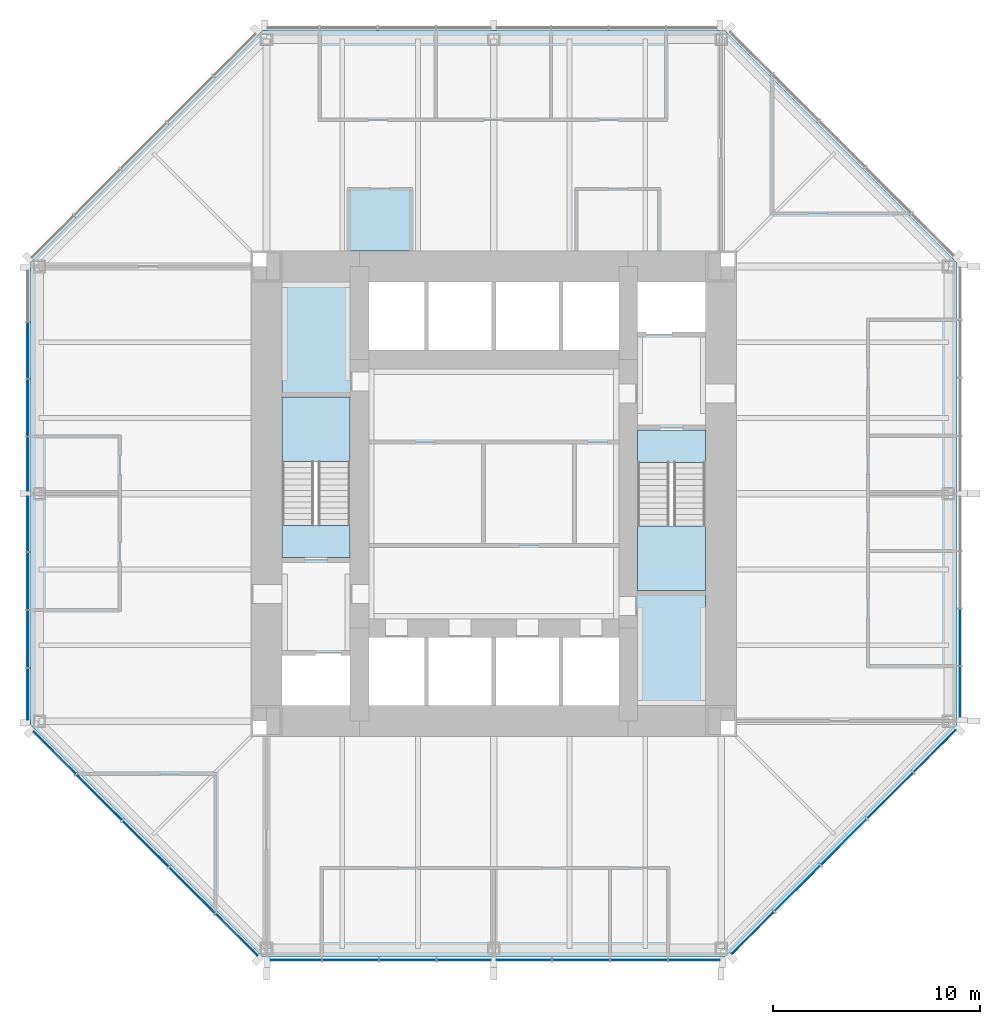
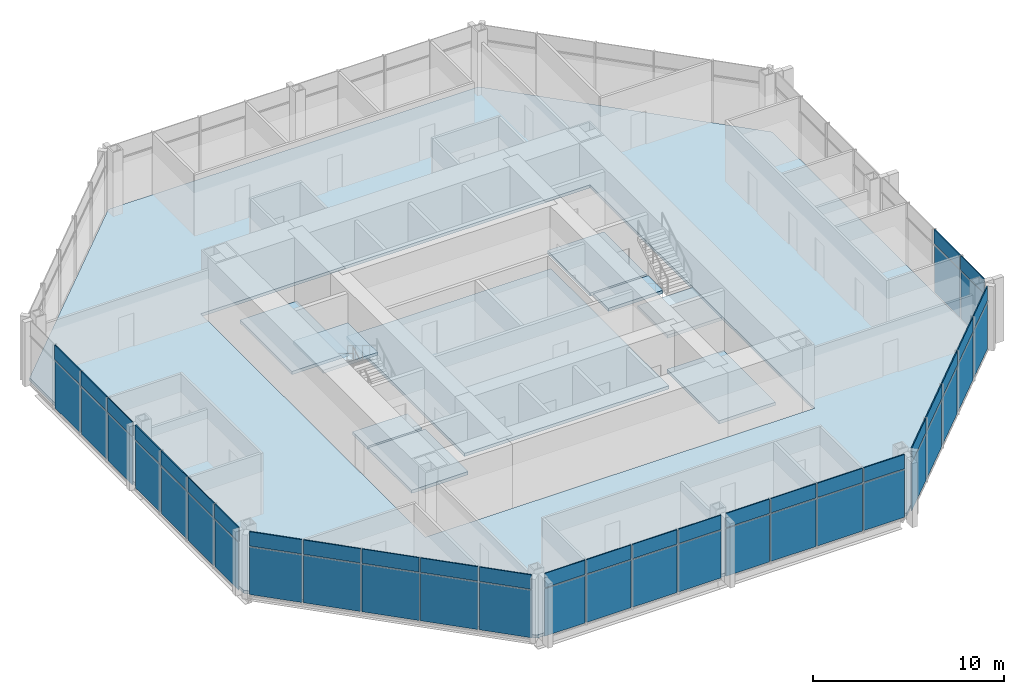
# One storey, part 7 of 12: 54 plates, 10 slabs, 7 elements without a shape of their own.
"""IFC4 building model written with IfcOpenShell, lengths in metres."""

from ifc_helpers import new_model, si_unit, direction, frame, origin, origin_2d, place, context, subcontext, project, spatial, polyline, rectangle, outline, extrude, material, layer, layer_set, type_object, element, aggregate, save


model = new_model("IFC4")

# Units and contexts
model_context = context("Model", 3, precision=1e-05, world=origin(), true_north=direction((0.0, 1.0)))
body_context = subcontext(model_context, "Body", "Model", "MODEL_VIEW")
ifc_project = project(units=[si_unit("LENGTHUNIT", "METRE"), si_unit("AREAUNIT", "SQUARE_METRE"), si_unit("VOLUMEUNIT", "CUBIC_METRE"), si_unit("PLANEANGLEUNIT", "RADIAN"), si_unit("MASSUNIT", "GRAM", prefix="KILO")], contexts=[model_context])

# Site, building, storey
site_placement = place(None, origin())
site = spatial("IfcSite", under=ifc_project, at=site_placement, CompositionType="ELEMENT")
building_placement = place(site_placement, origin())
building = spatial("IfcBuilding", under=site, at=building_placement, Name="Trevanion Tower", CompositionType="ELEMENT")
storey_placement = place(building_placement, frame((0.0, 0.0, 158.199951171875)))
storey = spatial("IfcBuildingStorey", under=building, at=storey_placement, Name="L37", CompositionType="ELEMENT", Elevation=158.199951171875)

# Curtain wall, plates
ifc_material_1 = material(Name="Aluminium and glass", Category="aluminium")
curtain_wall_type = type_object("IfcCurtainWallType", Name="CW2 curtain wall", PredefinedType="USERDEFINED", material=ifc_material_1)
curtain_wall_1_placement = place(storey_placement, origin())
curtain_wall_1 = element("IfcCurtainWall", 1, at=curtain_wall_1_placement, inside=storey, type_object=curtain_wall_type, Name="CW2 L37 0", ObjectType="UNITISED CURTAIN WALL", PredefinedType="USERDEFINED")
ifc_material_2 = material(Name="Aluminium spandrel panel", Category="aluminium")
ifc_layer_1 = layer(ifc_material_2, 0.06005859375)
ifc_layer_set_1 = layer_set([ifc_layer_1], Name="CW2 spandrel panel")
plate_type_1 = type_object("IfcPlateType", Name="CW2 spandrel panel", PredefinedType="CURTAIN_PANEL", material=ifc_layer_set_1)
plate_1_placement = place(storey_placement, frame((22.550048828125, -9.579345703125, 2.99755859375), z_axis=(0.0, 0.0, 1.0), x_axis=(0.0, 1.0, 0.0)))
plate_1 = element("IfcPlate", 2, at=plate_1_placement, type_object=plate_type_1, Name="CW2 panel 1.2", PredefinedType="CURTAIN_PANEL", context=body_context, shape_type="SweptSolid", body=[
    extrude(rectangle(XDim=2.43701171875, YDim=0.06005859375, at=origin_2d()), origin(), (0.0, 0.0, 1.0), 0.91259765625),
])
plate_2_placement = place(storey_placement, frame((22.550048828125, -6.93603515625, 2.99755859375), z_axis=(0.0, 0.0, 1.0), x_axis=(0.0, 1.0, 0.0)))
plate_2 = element("IfcPlate", 3, at=plate_2_placement, type_object=plate_type_1, Name="CW2 panel 2.2", PredefinedType="CURTAIN_PANEL", context=body_context, shape_type="SweptSolid", body=[
    extrude(rectangle(XDim=2.699462890625, YDim=0.06005859375, at=origin_2d()), origin(), (0.0, 0.0, 1.0), 0.91259765625),
])

curtain_wall_2_placement = place(storey_placement, origin())
curtain_wall_2 = element("IfcCurtainWall", 4, at=curtain_wall_2_placement, inside=storey, type_object=curtain_wall_type, Name="CW2 L37 4", ObjectType="UNITISED CURTAIN WALL", PredefinedType="USERDEFINED")
plate_3_placement = place(storey_placement, frame((-22.550048828125, 6.93603515625, 2.99755859375), z_axis=(0.0, 0.0, 1.0), x_axis=(0.0, -1.0, 0.0)))
plate_3 = element("IfcPlate", 5, at=plate_3_placement, type_object=plate_type_1, Name="CW2 panel 2.2", PredefinedType="CURTAIN_PANEL", context=body_context, shape_type="SweptSolid", body=[
    extrude(rectangle(XDim=2.699462890625, YDim=0.06005859375, at=origin_2d()), origin(), (0.0, 0.0, 1.0), 0.91259765625),
])
plate_4_placement = place(storey_placement, frame((-22.550048828125, 4.16162109375, 2.99755859375), z_axis=(0.0, 0.0, 1.0), x_axis=(0.0, -1.0, 0.0)))
plate_4 = element("IfcPlate", 6, at=plate_4_placement, type_object=plate_type_1, Name="CW2 panel 3.2", PredefinedType="CURTAIN_PANEL", context=body_context, shape_type="SweptSolid", body=[
    extrude(rectangle(XDim=2.699462890625, YDim=0.06005859375, at=origin_2d()), origin(), (0.0, 0.0, 1.0), 0.91259765625),
])
plate_5_placement = place(storey_placement, frame((-22.550048828125, 1.443603515625, 2.99755859375), z_axis=(0.0, 0.0, 1.0), x_axis=(0.0, -1.0, 0.0)))
plate_5 = element("IfcPlate", 7, at=plate_5_placement, type_object=plate_type_1, Name="CW2 panel 4.2", PredefinedType="CURTAIN_PANEL", context=body_context, shape_type="SweptSolid", body=[
    extrude(rectangle(XDim=2.5869140625, YDim=0.06005859375, at=origin_2d()), origin(), (0.0, 0.0, 1.0), 0.91259765625),
])
plate_6_placement = place(storey_placement, frame((-22.550048828125, -1.459716796875, 2.99755859375), z_axis=(0.0, 0.0, 1.0), x_axis=(0.0, -1.0, 0.0)))
plate_6 = element("IfcPlate", 8, at=plate_6_placement, type_object=plate_type_1, Name="CW2 panel 5.2", PredefinedType="CURTAIN_PANEL", context=body_context, shape_type="SweptSolid", body=[
    extrude(rectangle(XDim=2.619384765625, YDim=0.06005859375, at=origin_2d()), origin(), (0.0, 0.0, 1.0), 0.91259765625),
])
plate_7_placement = place(storey_placement, frame((-22.550048828125, -4.21044921875, 2.99755859375), z_axis=(0.0, 0.0, 1.0), x_axis=(0.0, -1.0, 0.0)))
plate_7 = element("IfcPlate", 9, at=plate_7_placement, type_object=plate_type_1, Name="CW2 panel 6.2", PredefinedType="CURTAIN_PANEL", context=body_context, shape_type="SweptSolid", body=[
    extrude(rectangle(XDim=2.73193359375, YDim=0.06005859375, at=origin_2d()), origin(), (0.0, 0.0, 1.0), 0.91259765625),
])
plate_8_placement = place(storey_placement, frame((-22.550048828125, -7.017333984375, 2.99755859375), z_axis=(0.0, 0.0, 1.0), x_axis=(0.0, -1.0, 0.0)))
plate_8 = element("IfcPlate", 10, at=plate_8_placement, type_object=plate_type_1, Name="CW2 panel 7.2", PredefinedType="CURTAIN_PANEL", context=body_context, shape_type="SweptSolid", body=[
    extrude(rectangle(XDim=2.73193359375, YDim=0.06005859375, at=origin_2d()), origin(), (0.0, 0.0, 1.0), 0.91259765625),
])
plate_9_placement = place(storey_placement, frame((-22.550048828125, -9.693115234375, 2.99755859375), z_axis=(0.0, 0.0, 1.0), x_axis=(0.0, -1.0, 0.0)))
plate_9 = element("IfcPlate", 11, at=plate_9_placement, type_object=plate_type_1, Name="CW2 panel 8.2", PredefinedType="CURTAIN_PANEL", context=body_context, shape_type="SweptSolid", body=[
    extrude(rectangle(XDim=2.469482421875, YDim=0.06005859375, at=origin_2d()), origin(), (0.0, 0.0, 1.0), 0.91259765625),
])

curtain_wall_3_placement = place(storey_placement, origin())
curtain_wall_3 = element("IfcCurtainWall", 12, at=curtain_wall_3_placement, inside=storey, type_object=curtain_wall_type, Name="CW2 L37 5", ObjectType="UNITISED CURTAIN WALL", PredefinedType="USERDEFINED")
plate_10_placement = place(storey_placement, frame((-21.2421875, -12.53564453125, 2.99755859375), z_axis=(0.0, 0.0, 1.0), x_axis=(0.707106781187, -0.707106781187, 0.0)))
plate_10 = element("IfcPlate", 13, at=plate_10_placement, type_object=plate_type_1, Name="CW2 panel 1.2", PredefinedType="CURTAIN_PANEL", context=body_context, shape_type="SweptSolid", body=[
    extrude(rectangle(XDim=2.8388671875, YDim=0.06005859375, at=origin_2d()), origin(), (0.0, 0.0, 1.0), 0.91259765625),
])
plate_11_placement = place(storey_placement, frame((-19.089111328125, -14.688720703125, 2.99755859375), z_axis=(0.0, 0.0, 1.0), x_axis=(0.707106781187, -0.707106781187, 0.0)))
plate_11 = element("IfcPlate", 14, at=plate_11_placement, type_object=plate_type_1, Name="CW2 panel 2.2", PredefinedType="CURTAIN_PANEL", context=body_context, shape_type="SweptSolid", body=[
    extrude(rectangle(XDim=3.101318359375, YDim=0.06005859375, at=origin_2d()), origin(), (0.0, 0.0, 1.0), 0.91259765625),
])
plate_12_placement = place(storey_placement, frame((-16.843017578125, -16.934814453125, 2.99755859375), z_axis=(0.0, 0.0, 1.0), x_axis=(0.707106781187, -0.707106781187, 0.0)))
plate_12 = element("IfcPlate", 15, at=plate_12_placement, type_object=plate_type_1, Name="CW2 panel 3.2", PredefinedType="CURTAIN_PANEL", context=body_context, shape_type="SweptSolid", body=[
    extrude(rectangle(XDim=3.101318359375, YDim=0.06005859375, at=origin_2d()), origin(), (0.0, 0.0, 1.0), 0.91259765625),
])
plate_13_placement = place(storey_placement, frame((-14.596923828125, -19.180908203125, 2.99755859375), z_axis=(0.0, 0.0, 1.0), x_axis=(0.707106781187, -0.707106781187, 0.0)))
plate_13 = element("IfcPlate", 16, at=plate_13_placement, type_object=plate_type_1, Name="CW2 panel 4.2", PredefinedType="CURTAIN_PANEL", context=body_context, shape_type="SweptSolid", body=[
    extrude(rectangle(XDim=3.101318359375, YDim=0.06005859375, at=origin_2d()), origin(), (0.0, 0.0, 1.0), 0.91259765625),
])
plate_14_placement = place(storey_placement, frame((-12.443603515625, -21.334228515625, 2.99755859375), z_axis=(0.0, 0.0, 1.0), x_axis=(0.707106781187, -0.707106781187, 0.0)))
plate_14 = element("IfcPlate", 17, at=plate_14_placement, type_object=plate_type_1, Name="CW2 panel 5.2", PredefinedType="CURTAIN_PANEL", context=body_context, shape_type="SweptSolid", body=[
    extrude(rectangle(XDim=2.8388671875, YDim=0.06005859375, at=origin_2d()), origin(), (0.0, 0.0, 1.0), 0.91259765625),
])

curtain_wall_4_placement = place(storey_placement, origin())
curtain_wall_4 = element("IfcCurtainWall", 18, at=curtain_wall_4_placement, inside=storey, type_object=curtain_wall_type, Name="CW2 L37 6", ObjectType="UNITISED CURTAIN WALL", PredefinedType="USERDEFINED")
plate_15_placement = place(storey_placement, frame((-9.579345703125, -22.550048828125, 2.99755859375), z_axis=(0.0, 0.0, 1.0), x_axis=(1.0, 0.0, 0.0)))
plate_15 = element("IfcPlate", 19, at=plate_15_placement, type_object=plate_type_1, Name="CW2 panel 1.2", PredefinedType="CURTAIN_PANEL", context=body_context, shape_type="SweptSolid", body=[
    extrude(rectangle(XDim=2.43701171875, YDim=0.06005859375, at=origin_2d()), origin(), (0.0, 0.0, 1.0), 0.91259765625),
])
plate_16_placement = place(storey_placement, frame((-6.93603515625, -22.550048828125, 2.99755859375), z_axis=(0.0, 0.0, 1.0), x_axis=(1.0, 0.0, 0.0)))
plate_16 = element("IfcPlate", 20, at=plate_16_placement, type_object=plate_type_1, Name="CW2 panel 2.2", PredefinedType="CURTAIN_PANEL", context=body_context, shape_type="SweptSolid", body=[
    extrude(rectangle(XDim=2.699462890625, YDim=0.06005859375, at=origin_2d()), origin(), (0.0, 0.0, 1.0), 0.91259765625),
])
plate_17_placement = place(storey_placement, frame((-4.16162109375, -22.550048828125, 2.99755859375), z_axis=(0.0, 0.0, 1.0), x_axis=(1.0, 0.0, 0.0)))
plate_17 = element("IfcPlate", 21, at=plate_17_placement, type_object=plate_type_1, Name="CW2 panel 3.2", PredefinedType="CURTAIN_PANEL", context=body_context, shape_type="SweptSolid", body=[
    extrude(rectangle(XDim=2.699462890625, YDim=0.06005859375, at=origin_2d()), origin(), (0.0, 0.0, 1.0), 0.91259765625),
])
plate_18_placement = place(storey_placement, frame((-1.443603515625, -22.550048828125, 2.99755859375), z_axis=(0.0, 0.0, 1.0), x_axis=(1.0, 0.0, 0.0)))
plate_18 = element("IfcPlate", 22, at=plate_18_placement, type_object=plate_type_1, Name="CW2 panel 4.2", PredefinedType="CURTAIN_PANEL", context=body_context, shape_type="SweptSolid", body=[
    extrude(rectangle(XDim=2.5869140625, YDim=0.06005859375, at=origin_2d()), origin(), (0.0, 0.0, 1.0), 0.91259765625),
])
plate_19_placement = place(storey_placement, frame((1.459716796875, -22.550048828125, 2.99755859375), z_axis=(0.0, 0.0, 1.0), x_axis=(1.0, 0.0, 0.0)))
plate_19 = element("IfcPlate", 23, at=plate_19_placement, type_object=plate_type_1, Name="CW2 panel 5.2", PredefinedType="CURTAIN_PANEL", context=body_context, shape_type="SweptSolid", body=[
    extrude(rectangle(XDim=2.619384765625, YDim=0.06005859375, at=origin_2d()), origin(), (0.0, 0.0, 1.0), 0.91259765625),
])
plate_20_placement = place(storey_placement, frame((4.21044921875, -22.550048828125, 2.99755859375), z_axis=(0.0, 0.0, 1.0), x_axis=(1.0, 0.0, 0.0)))
plate_20 = element("IfcPlate", 24, at=plate_20_placement, type_object=plate_type_1, Name="CW2 panel 6.2", PredefinedType="CURTAIN_PANEL", context=body_context, shape_type="SweptSolid", body=[
    extrude(rectangle(XDim=2.73193359375, YDim=0.06005859375, at=origin_2d()), origin(), (0.0, 0.0, 1.0), 0.91259765625),
])
plate_21_placement = place(storey_placement, frame((7.017333984375, -22.550048828125, 2.99755859375), z_axis=(0.0, 0.0, 1.0), x_axis=(1.0, 0.0, 0.0)))
plate_21 = element("IfcPlate", 25, at=plate_21_placement, type_object=plate_type_1, Name="CW2 panel 7.2", PredefinedType="CURTAIN_PANEL", context=body_context, shape_type="SweptSolid", body=[
    extrude(rectangle(XDim=2.73193359375, YDim=0.06005859375, at=origin_2d()), origin(), (0.0, 0.0, 1.0), 0.91259765625),
])
plate_22_placement = place(storey_placement, frame((9.693115234375, -22.550048828125, 2.99755859375), z_axis=(0.0, 0.0, 1.0), x_axis=(1.0, 0.0, 0.0)))
plate_22 = element("IfcPlate", 26, at=plate_22_placement, type_object=plate_type_1, Name="CW2 panel 8.2", PredefinedType="CURTAIN_PANEL", context=body_context, shape_type="SweptSolid", body=[
    extrude(rectangle(XDim=2.469482421875, YDim=0.06005859375, at=origin_2d()), origin(), (0.0, 0.0, 1.0), 0.91259765625),
])

curtain_wall_5_placement = place(storey_placement, origin())
curtain_wall_5 = element("IfcCurtainWall", 27, at=curtain_wall_5_placement, inside=storey, type_object=curtain_wall_type, Name="CW2 L37 7", ObjectType="UNITISED CURTAIN WALL", PredefinedType="USERDEFINED")
plate_23_placement = place(storey_placement, frame((12.53564453125, -21.2421875, 2.99755859375), z_axis=(0.0, 0.0, 1.0), x_axis=(0.707106781187, 0.707106781187, 0.0)))
plate_23 = element("IfcPlate", 28, at=plate_23_placement, type_object=plate_type_1, Name="CW2 panel 1.2", PredefinedType="CURTAIN_PANEL", context=body_context, shape_type="SweptSolid", body=[
    extrude(rectangle(XDim=2.8388671875, YDim=0.06005859375, at=origin_2d()), origin(), (0.0, 0.0, 1.0), 0.91259765625),
])
plate_24_placement = place(storey_placement, frame((14.688720703125, -19.089111328125, 2.99755859375), z_axis=(0.0, 0.0, 1.0), x_axis=(0.707106781187, 0.707106781187, 0.0)))
plate_24 = element("IfcPlate", 29, at=plate_24_placement, type_object=plate_type_1, Name="CW2 panel 2.2", PredefinedType="CURTAIN_PANEL", context=body_context, shape_type="SweptSolid", body=[
    extrude(rectangle(XDim=3.101318359375, YDim=0.06005859375, at=origin_2d()), origin(), (0.0, 0.0, 1.0), 0.91259765625),
])
plate_25_placement = place(storey_placement, frame((16.934814453125, -16.843017578125, 2.99755859375), z_axis=(0.0, 0.0, 1.0), x_axis=(0.707106781187, 0.707106781187, 0.0)))
plate_25 = element("IfcPlate", 30, at=plate_25_placement, type_object=plate_type_1, Name="CW2 panel 3.2", PredefinedType="CURTAIN_PANEL", context=body_context, shape_type="SweptSolid", body=[
    extrude(rectangle(XDim=3.101318359375, YDim=0.06005859375, at=origin_2d()), origin(), (0.0, 0.0, 1.0), 0.91259765625),
])
plate_26_placement = place(storey_placement, frame((19.180908203125, -14.596923828125, 2.99755859375), z_axis=(0.0, 0.0, 1.0), x_axis=(0.707106781187, 0.707106781187, 0.0)))
plate_26 = element("IfcPlate", 31, at=plate_26_placement, type_object=plate_type_1, Name="CW2 panel 4.2", PredefinedType="CURTAIN_PANEL", context=body_context, shape_type="SweptSolid", body=[
    extrude(rectangle(XDim=3.101318359375, YDim=0.06005859375, at=origin_2d()), origin(), (0.0, 0.0, 1.0), 0.91259765625),
])
plate_27_placement = place(storey_placement, frame((21.334228515625, -12.443603515625, 2.99755859375), z_axis=(0.0, 0.0, 1.0), x_axis=(0.707106781187, 0.707106781187, 0.0)))
plate_27 = element("IfcPlate", 32, at=plate_27_placement, type_object=plate_type_1, Name="CW2 panel 5.2", PredefinedType="CURTAIN_PANEL", context=body_context, shape_type="SweptSolid", body=[
    extrude(rectangle(XDim=2.8388671875, YDim=0.06005859375, at=origin_2d()), origin(), (0.0, 0.0, 1.0), 0.91259765625),
])

# Plate
ifc_material_3 = material(Name="Insulating glass unit", Category="glass")
ifc_layer_2 = layer(ifc_material_3, 0.028076171875)
ifc_layer_set_2 = layer_set([ifc_layer_2], Name="CW2 vision panel")
plate_type_2 = type_object("IfcPlateType", Name="CW2 vision panel", PredefinedType="CURTAIN_PANEL", material=ifc_layer_set_2)
plate_28_placement = place(storey_placement, frame((22.550048828125, -9.579345703125, -0.114990234375), z_axis=(0.0, 0.0, 1.0), x_axis=(0.0, 1.0, 0.0)))
plate_28 = element("IfcPlate", 33, at=plate_28_placement, type_object=plate_type_2, Name="CW2 panel 1.1", PredefinedType="CURTAIN_PANEL", context=body_context, shape_type="SweptSolid", body=[
    extrude(rectangle(XDim=2.43701171875, YDim=0.028076171875, at=origin_2d()), origin(), (0.0, 0.0, 1.0), 3.03759765625),
])

plate_29_placement = place(storey_placement, frame((22.550048828125, -6.93603515625, -0.114990234375), z_axis=(0.0, 0.0, 1.0), x_axis=(0.0, 1.0, 0.0)))
plate_29 = element("IfcPlate", 34, at=plate_29_placement, type_object=plate_type_2, Name="CW2 panel 2.1", PredefinedType="CURTAIN_PANEL", context=body_context, shape_type="SweptSolid", body=[
    extrude(rectangle(XDim=2.699462890625, YDim=0.028076171875, at=origin_2d()), origin(), (0.0, 0.0, 1.0), 3.03759765625),
])

aggregate(curtain_wall_1, [plate_28, plate_1, plate_29, plate_2])

plate_30_placement = place(storey_placement, frame((-22.550048828125, 6.93603515625, -0.114990234375), z_axis=(0.0, 0.0, 1.0), x_axis=(0.0, -1.0, 0.0)))
plate_30 = element("IfcPlate", 35, at=plate_30_placement, type_object=plate_type_2, Name="CW2 panel 2.1", PredefinedType="CURTAIN_PANEL", context=body_context, shape_type="SweptSolid", body=[
    extrude(rectangle(XDim=2.699462890625, YDim=0.028076171875, at=origin_2d()), origin(), (0.0, 0.0, 1.0), 3.03759765625),
])

plate_31_placement = place(storey_placement, frame((-22.550048828125, 4.16162109375, -0.114990234375), z_axis=(0.0, 0.0, 1.0), x_axis=(0.0, -1.0, 0.0)))
plate_31 = element("IfcPlate", 36, at=plate_31_placement, type_object=plate_type_2, Name="CW2 panel 3.1", PredefinedType="CURTAIN_PANEL", context=body_context, shape_type="SweptSolid", body=[
    extrude(rectangle(XDim=2.699462890625, YDim=0.028076171875, at=origin_2d()), origin(), (0.0, 0.0, 1.0), 3.03759765625),
])

plate_32_placement = place(storey_placement, frame((-22.550048828125, 1.443603515625, -0.114990234375), z_axis=(0.0, 0.0, 1.0), x_axis=(0.0, -1.0, 0.0)))
plate_32 = element("IfcPlate", 37, at=plate_32_placement, type_object=plate_type_2, Name="CW2 panel 4.1", PredefinedType="CURTAIN_PANEL", context=body_context, shape_type="SweptSolid", body=[
    extrude(rectangle(XDim=2.5869140625, YDim=0.028076171875, at=origin_2d()), origin(), (0.0, 0.0, 1.0), 3.03759765625),
])

plate_33_placement = place(storey_placement, frame((-22.550048828125, -1.459716796875, -0.114990234375), z_axis=(0.0, 0.0, 1.0), x_axis=(0.0, -1.0, 0.0)))
plate_33 = element("IfcPlate", 38, at=plate_33_placement, type_object=plate_type_2, Name="CW2 panel 5.1", PredefinedType="CURTAIN_PANEL", context=body_context, shape_type="SweptSolid", body=[
    extrude(rectangle(XDim=2.619384765625, YDim=0.028076171875, at=origin_2d()), origin(), (0.0, 0.0, 1.0), 3.03759765625),
])

plate_34_placement = place(storey_placement, frame((-22.550048828125, -4.21044921875, -0.114990234375), z_axis=(0.0, 0.0, 1.0), x_axis=(0.0, -1.0, 0.0)))
plate_34 = element("IfcPlate", 39, at=plate_34_placement, type_object=plate_type_2, Name="CW2 panel 6.1", PredefinedType="CURTAIN_PANEL", context=body_context, shape_type="SweptSolid", body=[
    extrude(rectangle(XDim=2.73193359375, YDim=0.028076171875, at=origin_2d()), origin(), (0.0, 0.0, 1.0), 3.03759765625),
])

plate_35_placement = place(storey_placement, frame((-22.550048828125, -7.017333984375, -0.114990234375), z_axis=(0.0, 0.0, 1.0), x_axis=(0.0, -1.0, 0.0)))
plate_35 = element("IfcPlate", 40, at=plate_35_placement, type_object=plate_type_2, Name="CW2 panel 7.1", PredefinedType="CURTAIN_PANEL", context=body_context, shape_type="SweptSolid", body=[
    extrude(rectangle(XDim=2.73193359375, YDim=0.028076171875, at=origin_2d()), origin(), (0.0, 0.0, 1.0), 3.03759765625),
])

plate_36_placement = place(storey_placement, frame((-22.550048828125, -9.693115234375, -0.114990234375), z_axis=(0.0, 0.0, 1.0), x_axis=(0.0, -1.0, 0.0)))
plate_36 = element("IfcPlate", 41, at=plate_36_placement, type_object=plate_type_2, Name="CW2 panel 8.1", PredefinedType="CURTAIN_PANEL", context=body_context, shape_type="SweptSolid", body=[
    extrude(rectangle(XDim=2.469482421875, YDim=0.028076171875, at=origin_2d()), origin(), (0.0, 0.0, 1.0), 3.03759765625),
])

aggregate(curtain_wall_2, [plate_30, plate_3, plate_31, plate_4, plate_32, plate_5, plate_33, plate_6, plate_34, plate_7, plate_35, plate_8, plate_36, plate_9])

plate_37_placement = place(storey_placement, frame((-21.2421875, -12.53564453125, -0.114990234375), z_axis=(0.0, 0.0, 1.0), x_axis=(0.707106781187, -0.707106781187, 0.0)))
plate_37 = element("IfcPlate", 42, at=plate_37_placement, type_object=plate_type_2, Name="CW2 panel 1.1", PredefinedType="CURTAIN_PANEL", context=body_context, shape_type="SweptSolid", body=[
    extrude(rectangle(XDim=2.8388671875, YDim=0.028076171875, at=origin_2d()), origin(), (0.0, 0.0, 1.0), 3.03759765625),
])

plate_38_placement = place(storey_placement, frame((-19.089111328125, -14.688720703125, -0.114990234375), z_axis=(0.0, 0.0, 1.0), x_axis=(0.707106781187, -0.707106781187, 0.0)))
plate_38 = element("IfcPlate", 43, at=plate_38_placement, type_object=plate_type_2, Name="CW2 panel 2.1", PredefinedType="CURTAIN_PANEL", context=body_context, shape_type="SweptSolid", body=[
    extrude(rectangle(XDim=3.101318359375, YDim=0.028076171875, at=origin_2d()), origin(), (0.0, 0.0, 1.0), 3.03759765625),
])

plate_39_placement = place(storey_placement, frame((-16.843017578125, -16.934814453125, -0.114990234375), z_axis=(0.0, 0.0, 1.0), x_axis=(0.707106781187, -0.707106781187, 0.0)))
plate_39 = element("IfcPlate", 44, at=plate_39_placement, type_object=plate_type_2, Name="CW2 panel 3.1", PredefinedType="CURTAIN_PANEL", context=body_context, shape_type="SweptSolid", body=[
    extrude(rectangle(XDim=3.101318359375, YDim=0.028076171875, at=origin_2d()), origin(), (0.0, 0.0, 1.0), 3.03759765625),
])

plate_40_placement = place(storey_placement, frame((-14.596923828125, -19.180908203125, -0.114990234375), z_axis=(0.0, 0.0, 1.0), x_axis=(0.707106781187, -0.707106781187, 0.0)))
plate_40 = element("IfcPlate", 45, at=plate_40_placement, type_object=plate_type_2, Name="CW2 panel 4.1", PredefinedType="CURTAIN_PANEL", context=body_context, shape_type="SweptSolid", body=[
    extrude(rectangle(XDim=3.101318359375, YDim=0.028076171875, at=origin_2d()), origin(), (0.0, 0.0, 1.0), 3.03759765625),
])

plate_41_placement = place(storey_placement, frame((-12.443603515625, -21.334228515625, -0.114990234375), z_axis=(0.0, 0.0, 1.0), x_axis=(0.707106781187, -0.707106781187, 0.0)))
plate_41 = element("IfcPlate", 46, at=plate_41_placement, type_object=plate_type_2, Name="CW2 panel 5.1", PredefinedType="CURTAIN_PANEL", context=body_context, shape_type="SweptSolid", body=[
    extrude(rectangle(XDim=2.8388671875, YDim=0.028076171875, at=origin_2d()), origin(), (0.0, 0.0, 1.0), 3.03759765625),
])

aggregate(curtain_wall_3, [plate_37, plate_10, plate_38, plate_11, plate_39, plate_12, plate_40, plate_13, plate_41, plate_14])

plate_42_placement = place(storey_placement, frame((-9.579345703125, -22.550048828125, -0.114990234375), z_axis=(0.0, 0.0, 1.0), x_axis=(1.0, 0.0, 0.0)))
plate_42 = element("IfcPlate", 47, at=plate_42_placement, type_object=plate_type_2, Name="CW2 panel 1.1", PredefinedType="CURTAIN_PANEL", context=body_context, shape_type="SweptSolid", body=[
    extrude(rectangle(XDim=2.43701171875, YDim=0.028076171875, at=origin_2d()), origin(), (0.0, 0.0, 1.0), 3.03759765625),
])

plate_43_placement = place(storey_placement, frame((-6.93603515625, -22.550048828125, -0.114990234375), z_axis=(0.0, 0.0, 1.0), x_axis=(1.0, 0.0, 0.0)))
plate_43 = element("IfcPlate", 48, at=plate_43_placement, type_object=plate_type_2, Name="CW2 panel 2.1", PredefinedType="CURTAIN_PANEL", context=body_context, shape_type="SweptSolid", body=[
    extrude(rectangle(XDim=2.699462890625, YDim=0.028076171875, at=origin_2d()), origin(), (0.0, 0.0, 1.0), 3.03759765625),
])

plate_44_placement = place(storey_placement, frame((-4.16162109375, -22.550048828125, -0.114990234375), z_axis=(0.0, 0.0, 1.0), x_axis=(1.0, 0.0, 0.0)))
plate_44 = element("IfcPlate", 49, at=plate_44_placement, type_object=plate_type_2, Name="CW2 panel 3.1", PredefinedType="CURTAIN_PANEL", context=body_context, shape_type="SweptSolid", body=[
    extrude(rectangle(XDim=2.699462890625, YDim=0.028076171875, at=origin_2d()), origin(), (0.0, 0.0, 1.0), 3.03759765625),
])

plate_45_placement = place(storey_placement, frame((-1.443603515625, -22.550048828125, -0.114990234375), z_axis=(0.0, 0.0, 1.0), x_axis=(1.0, 0.0, 0.0)))
plate_45 = element("IfcPlate", 50, at=plate_45_placement, type_object=plate_type_2, Name="CW2 panel 4.1", PredefinedType="CURTAIN_PANEL", context=body_context, shape_type="SweptSolid", body=[
    extrude(rectangle(XDim=2.5869140625, YDim=0.028076171875, at=origin_2d()), origin(), (0.0, 0.0, 1.0), 3.03759765625),
])

plate_46_placement = place(storey_placement, frame((1.459716796875, -22.550048828125, -0.114990234375), z_axis=(0.0, 0.0, 1.0), x_axis=(1.0, 0.0, 0.0)))
plate_46 = element("IfcPlate", 51, at=plate_46_placement, type_object=plate_type_2, Name="CW2 panel 5.1", PredefinedType="CURTAIN_PANEL", context=body_context, shape_type="SweptSolid", body=[
    extrude(rectangle(XDim=2.619384765625, YDim=0.028076171875, at=origin_2d()), origin(), (0.0, 0.0, 1.0), 3.03759765625),
])

plate_47_placement = place(storey_placement, frame((4.21044921875, -22.550048828125, -0.114990234375), z_axis=(0.0, 0.0, 1.0), x_axis=(1.0, 0.0, 0.0)))
plate_47 = element("IfcPlate", 52, at=plate_47_placement, type_object=plate_type_2, Name="CW2 panel 6.1", PredefinedType="CURTAIN_PANEL", context=body_context, shape_type="SweptSolid", body=[
    extrude(rectangle(XDim=2.73193359375, YDim=0.028076171875, at=origin_2d()), origin(), (0.0, 0.0, 1.0), 3.03759765625),
])

plate_48_placement = place(storey_placement, frame((7.017333984375, -22.550048828125, -0.114990234375), z_axis=(0.0, 0.0, 1.0), x_axis=(1.0, 0.0, 0.0)))
plate_48 = element("IfcPlate", 53, at=plate_48_placement, type_object=plate_type_2, Name="CW2 panel 7.1", PredefinedType="CURTAIN_PANEL", context=body_context, shape_type="SweptSolid", body=[
    extrude(rectangle(XDim=2.73193359375, YDim=0.028076171875, at=origin_2d()), origin(), (0.0, 0.0, 1.0), 3.03759765625),
])

plate_49_placement = place(storey_placement, frame((9.693115234375, -22.550048828125, -0.114990234375), z_axis=(0.0, 0.0, 1.0), x_axis=(1.0, 0.0, 0.0)))
plate_49 = element("IfcPlate", 54, at=plate_49_placement, type_object=plate_type_2, Name="CW2 panel 8.1", PredefinedType="CURTAIN_PANEL", context=body_context, shape_type="SweptSolid", body=[
    extrude(rectangle(XDim=2.469482421875, YDim=0.028076171875, at=origin_2d()), origin(), (0.0, 0.0, 1.0), 3.03759765625),
])

aggregate(curtain_wall_4, [plate_42, plate_15, plate_43, plate_16, plate_44, plate_17, plate_45, plate_18, plate_46, plate_19, plate_47, plate_20, plate_48, plate_21, plate_49, plate_22])

plate_50_placement = place(storey_placement, frame((12.53564453125, -21.2421875, -0.114990234375), z_axis=(0.0, 0.0, 1.0), x_axis=(0.707106781187, 0.707106781187, 0.0)))
plate_50 = element("IfcPlate", 55, at=plate_50_placement, type_object=plate_type_2, Name="CW2 panel 1.1", PredefinedType="CURTAIN_PANEL", context=body_context, shape_type="SweptSolid", body=[
    extrude(rectangle(XDim=2.8388671875, YDim=0.028076171875, at=origin_2d()), origin(), (0.0, 0.0, 1.0), 3.03759765625),
])

plate_51_placement = place(storey_placement, frame((14.688720703125, -19.089111328125, -0.114990234375), z_axis=(0.0, 0.0, 1.0), x_axis=(0.707106781187, 0.707106781187, 0.0)))
plate_51 = element("IfcPlate", 56, at=plate_51_placement, type_object=plate_type_2, Name="CW2 panel 2.1", PredefinedType="CURTAIN_PANEL", context=body_context, shape_type="SweptSolid", body=[
    extrude(rectangle(XDim=3.101318359375, YDim=0.028076171875, at=origin_2d()), origin(), (0.0, 0.0, 1.0), 3.03759765625),
])

plate_52_placement = place(storey_placement, frame((16.934814453125, -16.843017578125, -0.114990234375), z_axis=(0.0, 0.0, 1.0), x_axis=(0.707106781187, 0.707106781187, 0.0)))
plate_52 = element("IfcPlate", 57, at=plate_52_placement, type_object=plate_type_2, Name="CW2 panel 3.1", PredefinedType="CURTAIN_PANEL", context=body_context, shape_type="SweptSolid", body=[
    extrude(rectangle(XDim=3.101318359375, YDim=0.028076171875, at=origin_2d()), origin(), (0.0, 0.0, 1.0), 3.03759765625),
])

plate_53_placement = place(storey_placement, frame((19.180908203125, -14.596923828125, -0.114990234375), z_axis=(0.0, 0.0, 1.0), x_axis=(0.707106781187, 0.707106781187, 0.0)))
plate_53 = element("IfcPlate", 58, at=plate_53_placement, type_object=plate_type_2, Name="CW2 panel 4.1", PredefinedType="CURTAIN_PANEL", context=body_context, shape_type="SweptSolid", body=[
    extrude(rectangle(XDim=3.101318359375, YDim=0.028076171875, at=origin_2d()), origin(), (0.0, 0.0, 1.0), 3.03759765625),
])

plate_54_placement = place(storey_placement, frame((21.334228515625, -12.443603515625, -0.114990234375), z_axis=(0.0, 0.0, 1.0), x_axis=(0.707106781187, 0.707106781187, 0.0)))
plate_54 = element("IfcPlate", 59, at=plate_54_placement, type_object=plate_type_2, Name="CW2 panel 5.1", PredefinedType="CURTAIN_PANEL", context=body_context, shape_type="SweptSolid", body=[
    extrude(rectangle(XDim=2.8388671875, YDim=0.028076171875, at=origin_2d()), origin(), (0.0, 0.0, 1.0), 3.03759765625),
])

aggregate(curtain_wall_5, [plate_50, plate_23, plate_51, plate_24, plate_52, plate_25, plate_53, plate_26, plate_54, plate_27])

# Slabs
ifc_material_4 = material(Name="Concrete 5,000 psi on composite metal deck", Category="concrete")
ifc_layer_3 = layer(ifc_material_4, 0.18994140625)
ifc_layer_set_3 = layer_set([ifc_layer_3], Name="SL1 composite floor 190")
slab_type_1 = type_object("IfcSlabType", Name="SL1 composite floor 190", PredefinedType="FLOOR", material=ifc_layer_set_3)
slab_1_placement = place(storey_placement, frame((0.0, 0.0, -0.18994140625)))
element("IfcSlab", 60, at=slab_1_placement, inside=storey, type_object=slab_type_1, Name="SL1 L37 floor", PredefinedType="FLOOR", context=body_context, shape_type="SweptSolid", body=[
    extrude(outline(polyline([(22.419921875, -11.174072265625), (22.419921875, 11.174072265625), (11.174072265625, 22.419921875), (-11.174072265625, 22.419921875), (-22.419921875, 11.174072265625), (-22.419921875, -11.174072265625), (-11.174072265625, -22.419921875), (11.174072265625, -22.419921875), (22.419921875, -11.174072265625)]), holes=[polyline([(11.75, -11.75), (11.75, 11.75), (-11.75, 11.75), (-11.75, -11.75), (11.75, -11.75)])]), origin(), (0.0, 0.0, 1.0), 0.18994140625),
])
ifc_material_5 = material(Name="Concrete 5,000 psi", Category="concrete")
ifc_layer_4 = layer(ifc_material_5, 0.199951171875)
ifc_layer_set_4 = layer_set([ifc_layer_4], Name="SL2 core floor 200")
slab_type_2 = type_object("IfcSlabType", Name="SL2 core floor 200", PredefinedType="FLOOR", material=ifc_layer_set_4)
slab_2_placement = place(storey_placement, frame((0.0, 0.0, -0.199951171875)))
element("IfcSlab", 61, at=slab_2_placement, inside=storey, type_object=slab_type_2, Name="SL2 L37 core floor 1", PredefinedType="FLOOR", context=body_context, shape_type="SweptSolid", body=[
    extrude(outline(polyline([(10.25, -4.804931640625), (10.25, -10.25), (6.830078125, -10.25), (6.830078125, -4.804931640625), (10.25, -4.804931640625)])), origin(), (0.0, 0.0, 1.0), 0.199951171875),
])
slab_3_placement = place(storey_placement, frame((0.0, 0.0, -0.199951171875)))
element("IfcSlab", 62, at=slab_3_placement, inside=storey, type_object=slab_type_2, Name="SL2 L37 core floor 2", PredefinedType="FLOOR", context=body_context, shape_type="SweptSolid", body=[
    extrude(outline(polyline([(-6.830078125, -3.205078125), (-6.830078125, -7.695068359375), (-10.25, -7.695068359375), (-10.25, -3.205078125), (-6.830078125, -3.205078125)])), origin(), (0.0, 0.0, 1.0), 0.199951171875),
])
slab_4_placement = place(storey_placement, frame((0.0, 0.0, -0.199951171875)))
element("IfcSlab", 63, at=slab_4_placement, inside=storey, type_object=slab_type_2, Name="SL2 L37 core floor 3", PredefinedType="FLOOR", context=body_context, shape_type="SweptSolid", body=[
    extrude(outline(polyline([(6.169921875, -6.169921875), (-6.169921875, -6.169921875), (-6.169921875, 6.169921875), (6.169921875, 6.169921875), (6.169921875, -6.169921875)])), origin(), (0.0, 0.0, 1.0), 0.199951171875),
])
slab_5_placement = place(storey_placement, frame((0.0, 0.0, -0.199951171875)))
element("IfcSlab", 64, at=slab_5_placement, inside=storey, type_object=slab_type_2, Name="SL2 L37 core floor 4", PredefinedType="FLOOR", context=body_context, shape_type="SweptSolid", body=[
    extrude(outline(polyline([(6.830078125, 3.205078125), (6.830078125, 7.695068359375), (10.25, 7.695068359375), (10.25, 3.205078125), (6.830078125, 3.205078125)])), origin(), (0.0, 0.0, 1.0), 0.199951171875),
])
slab_6_placement = place(storey_placement, frame((0.0, 0.0, -0.199951171875)))
element("IfcSlab", 65, at=slab_6_placement, inside=storey, type_object=slab_type_2, Name="SL2 L37 core floor 5", PredefinedType="FLOOR", context=body_context, shape_type="SweptSolid", body=[
    extrude(outline(polyline([(-6.830078125, 4.804931640625), (-10.25, 4.804931640625), (-10.25, 10.25), (-6.830078125, 10.25), (-6.830078125, 4.804931640625)])), origin(), (0.0, 0.0, 1.0), 0.199951171875),
])

# Stair, slabs
ifc_material_6 = material(Name="Concrete 5,000 psi on steel stringers", Category="concrete")
stair_type = type_object("IfcStairType", Name="ST stair", PredefinedType="HALF_TURN_STAIR", material=ifc_material_6)
stair_1_placement = place(storey_placement, origin())
stair_1 = element("IfcStair", 66, at=stair_1_placement, inside=storey, type_object=stair_type, Name="ST1 L37", PredefinedType="HALF_TURN_STAIR")
ifc_material_7 = material(Name="Concrete 5,000 psi in steel pan", Category="concrete")
ifc_layer_5 = layer(ifc_material_7, 0.199951171875)
ifc_layer_set_5 = layer_set([ifc_layer_5], Name="STL stair landing 200")
slab_type_3 = type_object("IfcSlabType", Name="STL stair landing 200", PredefinedType="LANDING", material=ifc_layer_set_5)
slab_7_placement = place(storey_placement, frame((0.0, 0.0, -0.199951171875)))
slab_7 = element("IfcSlab", 67, at=slab_7_placement, type_object=slab_type_3, Name="ST1 landing 1", PredefinedType="LANDING", context=body_context, shape_type="SweptSolid", body=[
    extrude(outline(polyline([(6.949951171875, 1.52490234375), (10.25, 1.52490234375), (10.25, 3.074951171875), (6.949951171875, 3.074951171875), (6.949951171875, 1.52490234375)])), origin(), (0.0, 0.0, 1.0), 0.199951171875),
])
slab_8_placement = place(storey_placement, frame((0.0, 0.0, 1.85009765625)))
slab_8 = element("IfcSlab", 68, at=slab_8_placement, type_object=slab_type_3, Name="ST1 landing 2", PredefinedType="LANDING", context=body_context, shape_type="SweptSolid", body=[
    extrude(outline(polyline([(6.949951171875, -4.675048828125), (10.25, -4.675048828125), (10.25, -1.554931640625), (6.949951171875, -1.554931640625), (6.949951171875, -4.675048828125)])), origin(), (0.0, 0.0, 1.0), 0.199951171875),
])
aggregate(stair_1, [slab_7, slab_8])

stair_2_placement = place(storey_placement, origin())
stair_2 = element("IfcStair", 69, at=stair_2_placement, inside=storey, type_object=stair_type, Name="ST2 L37", PredefinedType="HALF_TURN_STAIR")
slab_9_placement = place(storey_placement, frame((0.0, 0.0, -0.199951171875)))
slab_9 = element("IfcSlab", 70, at=slab_9_placement, type_object=slab_type_3, Name="ST2 landing 1", PredefinedType="LANDING", context=body_context, shape_type="SweptSolid", body=[
    extrude(outline(polyline([(-6.949951171875, -1.52490234375), (-10.25, -1.52490234375), (-10.25, -3.074951171875), (-6.949951171875, -3.074951171875), (-6.949951171875, -1.52490234375)])), origin(), (0.0, 0.0, 1.0), 0.199951171875),
])
slab_10_placement = place(storey_placement, frame((0.0, 0.0, 1.85009765625)))
slab_10 = element("IfcSlab", 71, at=slab_10_placement, type_object=slab_type_3, Name="ST2 landing 2", PredefinedType="LANDING", context=body_context, shape_type="SweptSolid", body=[
    extrude(outline(polyline([(-6.949951171875, 4.675048828125), (-10.25, 4.675048828125), (-10.25, 1.554931640625), (-6.949951171875, 1.554931640625), (-6.949951171875, 4.675048828125)])), origin(), (0.0, 0.0, 1.0), 0.199951171875),
])
aggregate(stair_2, [slab_9, slab_10])

save(model, "model.ifc")
